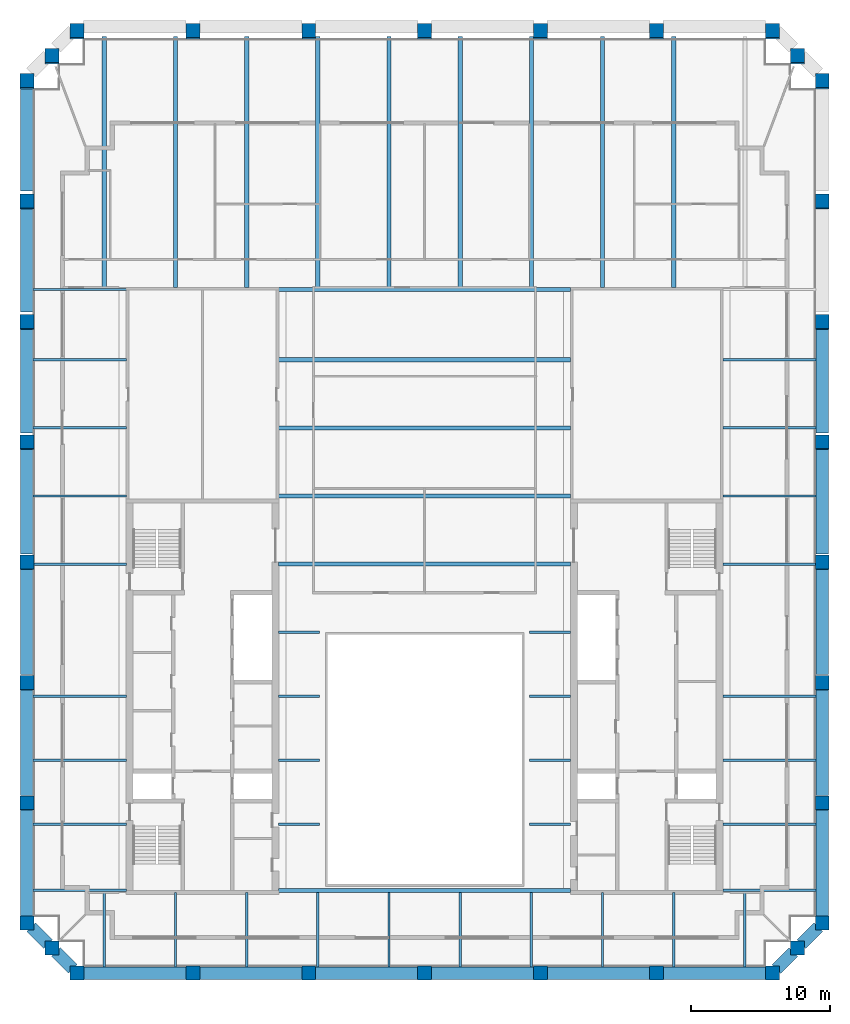
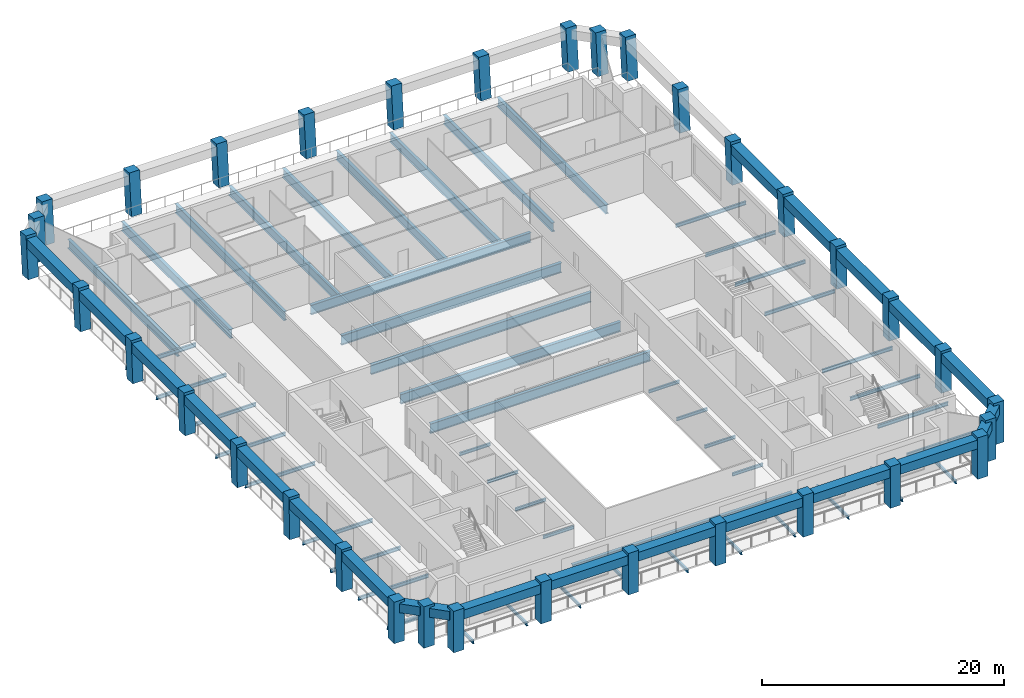
# One storey, part 1 of 9: 72 beams, 34 columns.
"""IFC4 building model written with IfcOpenShell, lengths in metres."""

from ifc_helpers import new_model, si_unit, direction, frame, origin, origin_2d, place, context, subcontext, project, spatial, rectangle, i_section, extrude, material, material_profile, profile_set, type_object, element, save


model = new_model("IFC4")

# Units and contexts
model_context = context("Model", 3, precision=1e-05, world=origin(), true_north=direction((0.0, 1.0)))
body_context = subcontext(model_context, "Body", "Model", "MODEL_VIEW")
ifc_project = project(units=[si_unit("LENGTHUNIT", "METRE"), si_unit("AREAUNIT", "SQUARE_METRE"), si_unit("VOLUMEUNIT", "CUBIC_METRE"), si_unit("PLANEANGLEUNIT", "RADIAN"), si_unit("MASSUNIT", "GRAM", prefix="KILO")], contexts=[model_context])

# Site, building, storey
site_placement = place(None, origin())
site = spatial("IfcSite", under=ifc_project, at=site_placement, CompositionType="ELEMENT")
building_placement = place(site_placement, origin())
building = spatial("IfcBuilding", under=site, at=building_placement, Name="Ogive Exchange Tower", CompositionType="ELEMENT")
storey_placement = place(building_placement, frame((0.0, 0.0, 346.800048828125)))
storey = spatial("IfcBuildingStorey", under=building, at=storey_placement, Name="L76", CompositionType="ELEMENT", Elevation=346.800048828125)

# Columns
ifc_material_1 = material(Name="Precast concrete C70/85 (limestone faced)", Category="masonry")
ifc_material_profile_1 = material_profile(ifc_material_1, rectangle(XDim=1.0, YDim=1.0, at=origin_2d()), Name="1000 x 1000")
ifc_profile_set_1 = profile_set([ifc_material_profile_1], Name="Precast concrete C70/85 (limestone faced)")
column_type = type_object("IfcColumnType", Name="Precast exoskeleton leg 1000 x 1000 C70/85", PredefinedType="COLUMN", material=ifc_profile_set_1)
for number, where, z_axis, x_axis, name in (
    (1, (-25.050048828125, -8.39990234375, 0.0), (0.0, 0.0, 1.0), (1.0, 0.0, 0.0), "Exoskeleton leg 1"),
    (2, (-16.699951171875, -8.39990234375, 0.0), (0.0, 0.0, 1.0), (1.0, 0.0, 0.0), "Exoskeleton leg 2"),
    (3, (-8.35009765625, -8.39990234375, 0.0), (0.0, 0.0, 1.0), (1.0, 0.0, 0.0), "Exoskeleton leg 3"),
    (4, (0.0, -8.39990234375, 0.0), (0.0, 0.0, 1.0), (1.0, 0.0, 0.0), "Exoskeleton leg 4"),
    (5, (8.35009765625, -8.39990234375, 0.0), (0.0, 0.0, 1.0), (1.0, 0.0, 0.0), "Exoskeleton leg 5"),
    (6, (16.699951171875, -8.39990234375, 0.0), (0.0, 0.0, 1.0), (1.0, 0.0, 0.0), "Exoskeleton leg 6"),
    (7, (25.050048828125, -8.39990234375, 0.0), (0.0, 0.0, 1.0), (1.0, 0.0, 0.0), "Exoskeleton leg 7"),
    (8, (28.64990234375, -4.800048828125, 0.0), (0.0, 0.0, 1.0), (1.0, 0.0, 0.0), "Exoskeleton leg 8"),
):
    element("IfcColumn", number, at=place(storey_placement, frame(where, z_axis=z_axis, x_axis=x_axis)), inside=storey, type_object=column_type, Name=name, PredefinedType="COLUMN", context=body_context, shape_type="SweptSolid", body=[
        extrude(rectangle(XDim=1.0, YDim=1.0, at=origin_2d()), origin(), (0.0, 0.0, 1.0), 4.199951171875),
    ])
column_1_placement = place(storey_placement, frame((28.64990234375, 3.8544921875, 0.0), z_axis=(0.0, 0.013019881024, 0.999915237757), x_axis=(-1.0, 0.0, 0.0)))
element("IfcColumn", 9, at=column_1_placement, inside=storey, type_object=column_type, Name="Exoskeleton leg 9", PredefinedType="COLUMN", context=body_context, shape_type="SweptSolid", body=[
    extrude(rectangle(XDim=1.0, YDim=1.0, at=origin_2d()), origin(), (0.0, 0.0, 1.0), 4.2001953125),
])
column_2_placement = place(storey_placement, frame((28.64990234375, 12.509033203125, 0.0), z_axis=(0.0, 0.025975072843, 0.999662590873), x_axis=(-1.0, 0.0, 0.0)))
element("IfcColumn", 10, at=column_2_placement, inside=storey, type_object=column_type, Name="Exoskeleton leg 10", PredefinedType="COLUMN", context=body_context, shape_type="SweptSolid", body=[
    extrude(rectangle(XDim=1.0, YDim=1.0, at=origin_2d()), origin(), (0.0, 0.0, 1.0), 4.201416015625),
])
column_3_placement = place(storey_placement, frame((28.64990234375, 21.16357421875, 0.0), z_axis=(0.0, 0.038975188043, 0.999240178694), x_axis=(-1.0, 0.0, 0.0)))
element("IfcColumn", 11, at=column_3_placement, inside=storey, type_object=column_type, Name="Exoskeleton leg 11", PredefinedType="COLUMN", context=body_context, shape_type="SweptSolid", body=[
    extrude(rectangle(XDim=1.0, YDim=1.0, at=origin_2d()), origin(), (0.0, 0.0, 1.0), 4.203125),
])
column_4_placement = place(storey_placement, frame((28.64990234375, 29.818115234375, 0.0), z_axis=(0.0, 0.051897648879, 0.99865240902), x_axis=(-1.0, 0.0, 0.0)))
element("IfcColumn", 12, at=column_4_placement, inside=storey, type_object=column_type, Name="Exoskeleton leg 12", PredefinedType="COLUMN", context=body_context, shape_type="SweptSolid", body=[
    extrude(rectangle(XDim=1.0, YDim=1.0, at=origin_2d()), origin(), (0.0, 0.0, 1.0), 4.20556640625),
])
column_5_placement = place(storey_placement, frame((28.64990234375, 38.47265625, 0.0), z_axis=(0.0, 0.064851857298, 0.997894902585), x_axis=(-1.0, 0.0, 0.0)))
element("IfcColumn", 13, at=column_5_placement, inside=storey, type_object=column_type, Name="Exoskeleton leg 13", PredefinedType="COLUMN", context=body_context, shape_type="SweptSolid", body=[
    extrude(rectangle(XDim=1.0, YDim=1.0, at=origin_2d()), origin(), (0.0, 0.0, 1.0), 4.208740234375),
])
column_6_placement = place(storey_placement, frame((28.64990234375, 47.127197265625, 0.0), z_axis=(0.0, 0.07771576013, 0.996975556685), x_axis=(-1.0, 0.0, 0.0)))
element("IfcColumn", 14, at=column_6_placement, inside=storey, type_object=column_type, Name="Exoskeleton leg 14", PredefinedType="COLUMN", context=body_context, shape_type="SweptSolid", body=[
    extrude(rectangle(XDim=1.0, YDim=1.0, at=origin_2d()), origin(), (0.0, 0.0, 1.0), 4.212646484375),
])
for number, where, z_axis, x_axis, name in (
    (15, (28.64990234375, 55.78173828125, 0.0), (0.0, 0.090540965689, 0.995892731941), (-1.0, 0.0, 0.0), "Exoskeleton leg 15"),
    (16, (25.050048828125, 59.3818359375, 0.0), (0.0, 0.090540965689, 0.995892731941), (-1.0, 0.0, 0.0), "Exoskeleton leg 16"),
    (17, (16.699951171875, 59.3818359375, 0.0), (0.0, 0.090540965689, 0.995892731941), (-1.0, 0.0, 0.0), "Exoskeleton leg 17"),
    (18, (8.35009765625, 59.3818359375, 0.0), (0.0, 0.090540965689, 0.995892731941), (-1.0, 0.0, 0.0), "Exoskeleton leg 18"),
    (19, (0.0, 59.3818359375, 0.0), (0.0, 0.090540965689, 0.995892731941), (-1.0, 0.0, 0.0), "Exoskeleton leg 19"),
    (20, (-8.35009765625, 59.3818359375, 0.0), (0.0, 0.090540965689, 0.995892731941), (-1.0, 0.0, 0.0), "Exoskeleton leg 20"),
    (21, (-16.699951171875, 59.3818359375, 0.0), (0.0, 0.090540965689, 0.995892731941), (-1.0, 0.0, 0.0), "Exoskeleton leg 21"),
    (22, (-25.050048828125, 59.3818359375, 0.0), (0.0, 0.090540965689, 0.995892731941), (-1.0, 0.0, 0.0), "Exoskeleton leg 22"),
    (23, (-28.64990234375, 55.78173828125, 0.0), (0.0, 0.090540965689, 0.995892731941), (-1.0, 0.0, 0.0), "Exoskeleton leg 23"),
):
    element("IfcColumn", number, at=place(storey_placement, frame(where, z_axis=z_axis, x_axis=x_axis)), inside=storey, type_object=column_type, Name=name, PredefinedType="COLUMN", context=body_context, shape_type="SweptSolid", body=[
        extrude(rectangle(XDim=1.0, YDim=1.0, at=origin_2d()), origin(), (0.0, 0.0, 1.0), 4.21728515625),
    ])
column_7_placement = place(storey_placement, frame((-28.64990234375, 47.127197265625, 0.0), z_axis=(0.0, 0.07771576013, 0.996975556685), x_axis=(-1.0, 0.0, 0.0)))
element("IfcColumn", 24, at=column_7_placement, inside=storey, type_object=column_type, Name="Exoskeleton leg 24", PredefinedType="COLUMN", context=body_context, shape_type="SweptSolid", body=[
    extrude(rectangle(XDim=1.0, YDim=1.0, at=origin_2d()), origin(), (0.0, 0.0, 1.0), 4.212646484375),
])
column_8_placement = place(storey_placement, frame((-28.64990234375, 38.47265625, 0.0), z_axis=(0.0, 0.064851857298, 0.997894902585), x_axis=(-1.0, 0.0, 0.0)))
element("IfcColumn", 25, at=column_8_placement, inside=storey, type_object=column_type, Name="Exoskeleton leg 25", PredefinedType="COLUMN", context=body_context, shape_type="SweptSolid", body=[
    extrude(rectangle(XDim=1.0, YDim=1.0, at=origin_2d()), origin(), (0.0, 0.0, 1.0), 4.208740234375),
])
column_9_placement = place(storey_placement, frame((-28.64990234375, 29.818115234375, 0.0), z_axis=(0.0, 0.051897648879, 0.99865240902), x_axis=(-1.0, 0.0, 0.0)))
element("IfcColumn", 26, at=column_9_placement, inside=storey, type_object=column_type, Name="Exoskeleton leg 26", PredefinedType="COLUMN", context=body_context, shape_type="SweptSolid", body=[
    extrude(rectangle(XDim=1.0, YDim=1.0, at=origin_2d()), origin(), (0.0, 0.0, 1.0), 4.20556640625),
])
column_10_placement = place(storey_placement, frame((-28.64990234375, 21.16357421875, 0.0), z_axis=(0.0, 0.038975188043, 0.999240178694), x_axis=(-1.0, 0.0, 0.0)))
element("IfcColumn", 27, at=column_10_placement, inside=storey, type_object=column_type, Name="Exoskeleton leg 27", PredefinedType="COLUMN", context=body_context, shape_type="SweptSolid", body=[
    extrude(rectangle(XDim=1.0, YDim=1.0, at=origin_2d()), origin(), (0.0, 0.0, 1.0), 4.203125),
])
column_11_placement = place(storey_placement, frame((-28.64990234375, 12.509033203125, 0.0), z_axis=(0.0, 0.025975072843, 0.999662590873), x_axis=(-1.0, 0.0, 0.0)))
element("IfcColumn", 28, at=column_11_placement, inside=storey, type_object=column_type, Name="Exoskeleton leg 28", PredefinedType="COLUMN", context=body_context, shape_type="SweptSolid", body=[
    extrude(rectangle(XDim=1.0, YDim=1.0, at=origin_2d()), origin(), (0.0, 0.0, 1.0), 4.201416015625),
])
column_12_placement = place(storey_placement, frame((-28.64990234375, 3.8544921875, 0.0), z_axis=(0.0, 0.013019881024, 0.999915237757), x_axis=(-1.0, 0.0, 0.0)))
element("IfcColumn", 29, at=column_12_placement, inside=storey, type_object=column_type, Name="Exoskeleton leg 29", PredefinedType="COLUMN", context=body_context, shape_type="SweptSolid", body=[
    extrude(rectangle(XDim=1.0, YDim=1.0, at=origin_2d()), origin(), (0.0, 0.0, 1.0), 4.2001953125),
])
for number, where, z_axis, x_axis, name in (
    (30, (-28.64990234375, -4.800048828125, 0.0), (0.0, 0.0, 1.0), (1.0, 0.0, 0.0), "Exoskeleton leg 30"),
    (31, (26.85009765625, -6.60009765625, 0.0), (0.0, 0.0, 1.0), (1.0, 0.0, 0.0), "Exoskeleton leg 31"),
):
    element("IfcColumn", number, at=place(storey_placement, frame(where, z_axis=z_axis, x_axis=x_axis)), inside=storey, type_object=column_type, Name=name, PredefinedType="COLUMN", context=body_context, shape_type="SweptSolid", body=[
        extrude(rectangle(XDim=1.0, YDim=1.0, at=origin_2d()), origin(), (0.0, 0.0, 1.0), 4.199951171875),
    ])
for number, where, z_axis, x_axis, name in (
    (32, (26.85009765625, 57.581787109375, 0.0), (0.0, 0.090540965689, 0.995892731941), (-1.0, 0.0, 0.0), "Exoskeleton leg 32"),
    (33, (-26.85009765625, 57.581787109375, 0.0), (0.0, 0.090540965689, 0.995892731941), (-1.0, 0.0, 0.0), "Exoskeleton leg 33"),
):
    element("IfcColumn", number, at=place(storey_placement, frame(where, z_axis=z_axis, x_axis=x_axis)), inside=storey, type_object=column_type, Name=name, PredefinedType="COLUMN", context=body_context, shape_type="SweptSolid", body=[
        extrude(rectangle(XDim=1.0, YDim=1.0, at=origin_2d()), origin(), (0.0, 0.0, 1.0), 4.21728515625),
    ])
column_13_placement = place(storey_placement, frame((-26.85009765625, -6.60009765625, 0.0), z_axis=(0.0, 0.0, 1.0), x_axis=(1.0, 0.0, 0.0)))
element("IfcColumn", 34, at=column_13_placement, inside=storey, type_object=column_type, Name="Exoskeleton leg 34", PredefinedType="COLUMN", context=body_context, shape_type="SweptSolid", body=[
    extrude(rectangle(XDim=1.0, YDim=1.0, at=origin_2d()), origin(), (0.0, 0.0, 1.0), 4.199951171875),
])

# Beams
ifc_material_2 = material(Name="Steel ASTM A992 Gr50", Category="steel")
ifc_material_profile_2 = material_profile(ifc_material_2, i_section(OverallWidth=0.300048828125, OverallDepth=0.97998046875, WebThickness=0.0166015625, FlangeThickness=0.026123046875, at=origin_2d()), Name="W1000x249")
ifc_profile_set_2 = profile_set([ifc_material_profile_2], Name="Steel ASTM A992 Gr50")
beam_type_1 = type_object("IfcBeamType", Name="Floor beam W1000x249", PredefinedType="JOIST", material=ifc_profile_set_2)
for number, where, z_axis, x_axis, name in (
    (35, (-10.52001953125, 21.06201171875, -0.68994140625), (1.0, 0.0, 0.0), (0.0, 1.0, 0.0), "Floor beam"),
    (36, (-10.52001953125, 25.968994140625, -0.68994140625), (1.0, 0.0, 0.0), (0.0, 1.0, 0.0), "Floor beam"),
    (37, (-10.52001953125, 30.8759765625, -0.68994140625), (1.0, 0.0, 0.0), (0.0, 1.0, 0.0), "Floor beam"),
    (38, (-10.52001953125, 35.782958984375, -0.68994140625), (1.0, 0.0, 0.0), (0.0, 1.0, 0.0), "Floor beam"),
):
    element("IfcBeam", number, at=place(storey_placement, frame(where, z_axis=z_axis, x_axis=x_axis)), inside=storey, type_object=beam_type_1, Name=name, PredefinedType="JOIST", context=body_context, shape_type="SweptSolid", body=[
        extrude(i_section(OverallWidth=0.300048828125, OverallDepth=0.97998046875, WebThickness=0.0166015625, FlangeThickness=0.026123046875, at=origin_2d()), origin(), (0.0, 0.0, 1.0), 21.0400390625),
    ])
ifc_material_profile_3 = material_profile(ifc_material_2, i_section(OverallWidth=0.1650390625, OverallDepth=0.31005859375, WebThickness=0.005859375, FlangeThickness=0.009765625, at=origin_2d()), Name="W310x38.7")
ifc_profile_set_3 = profile_set([ifc_material_profile_3], Name="Steel ASTM A992 Gr50")
beam_type_2 = type_object("IfcBeamType", Name="Floor beam W310x38.7", PredefinedType="JOIST", material=ifc_profile_set_3)
for number, where, z_axis, x_axis, name in (
    (39, (-10.52001953125, 2.3212890625, -0.35498046875), (1.0, 0.0, 0.0), (0.0, 1.0, 0.0), "Floor beam"),
    (40, (7.570068359375, 2.3212890625, -0.35498046875), (1.0, 0.0, 0.0), (0.0, 1.0, 0.0), "Floor beam"),
    (41, (-10.52001953125, 6.9326171875, -0.35498046875), (1.0, 0.0, 0.0), (0.0, 1.0, 0.0), "Floor beam"),
    (42, (7.570068359375, 6.9326171875, -0.35498046875), (1.0, 0.0, 0.0), (0.0, 1.0, 0.0), "Floor beam"),
    (43, (-10.52001953125, 11.543701171875, -0.35498046875), (1.0, 0.0, 0.0), (0.0, 1.0, 0.0), "Floor beam"),
    (44, (7.570068359375, 11.543701171875, -0.35498046875), (1.0, 0.0, 0.0), (0.0, 1.0, 0.0), "Floor beam"),
):
    element("IfcBeam", number, at=place(storey_placement, frame(where, z_axis=z_axis, x_axis=x_axis)), inside=storey, type_object=beam_type_2, Name=name, PredefinedType="JOIST", context=body_context, shape_type="SweptSolid", body=[
        extrude(i_section(OverallWidth=0.1650390625, OverallDepth=0.31005859375, WebThickness=0.005859375, FlangeThickness=0.009765625, at=origin_2d()), origin(), (0.0, 0.0, 1.0), 2.949951171875),
    ])
beam_1_placement = place(storey_placement, frame((-23.07275390625, -7.949951171875, -0.35498046875), z_axis=(0.0, 1.0, 0.0), x_axis=(-1.0, 0.0, 0.0)))
element("IfcBeam", 45, at=beam_1_placement, inside=storey, type_object=beam_type_2, Name="Floor beam", PredefinedType="JOIST", context=body_context, shape_type="SweptSolid", body=[
    extrude(i_section(OverallWidth=0.1650390625, OverallDepth=0.31005859375, WebThickness=0.005859375, FlangeThickness=0.009765625, at=origin_2d()), origin(), (0.0, 0.0, 1.0), 5.416015625),
])
for number, where, z_axis, x_axis, name in (
    (46, (-17.945556640625, -7.949951171875, -0.35498046875), (0.0, 1.0, 0.0), (-1.0, 0.0, 0.0), "Floor beam"),
    (47, (-12.818115234375, -7.949951171875, -0.35498046875), (0.0, 1.0, 0.0), (-1.0, 0.0, 0.0), "Floor beam"),
):
    element("IfcBeam", number, at=place(storey_placement, frame(where, z_axis=z_axis, x_axis=x_axis)), inside=storey, type_object=beam_type_2, Name=name, PredefinedType="JOIST", context=body_context, shape_type="SweptSolid", body=[
        extrude(i_section(OverallWidth=0.1650390625, OverallDepth=0.31005859375, WebThickness=0.005859375, FlangeThickness=0.009765625, at=origin_2d()), origin(), (0.0, 0.0, 1.0), 5.349853515625),
    ])
for number, where, z_axis, x_axis, name in (
    (48, (-7.69091796875, -7.949951171875, -0.35498046875), (0.0, 1.0, 0.0), (-1.0, 0.0, 0.0), "Floor beam"),
    (49, (-2.563720703125, -7.949951171875, -0.35498046875), (0.0, 1.0, 0.0), (-1.0, 0.0, 0.0), "Floor beam"),
    (50, (2.563720703125, -7.949951171875, -0.35498046875), (0.0, 1.0, 0.0), (-1.0, 0.0, 0.0), "Floor beam"),
    (51, (7.69091796875, -7.949951171875, -0.35498046875), (0.0, 1.0, 0.0), (-1.0, 0.0, 0.0), "Floor beam"),
):
    element("IfcBeam", number, at=place(storey_placement, frame(where, z_axis=z_axis, x_axis=x_axis)), inside=storey, type_object=beam_type_2, Name=name, PredefinedType="JOIST", context=body_context, shape_type="SweptSolid", body=[
        extrude(i_section(OverallWidth=0.1650390625, OverallDepth=0.31005859375, WebThickness=0.005859375, FlangeThickness=0.009765625, at=origin_2d()), origin(), (0.0, 0.0, 1.0), 5.35498046875),
    ])
for number, where, z_axis, x_axis, name in (
    (52, (12.818115234375, -7.949951171875, -0.35498046875), (0.0, 1.0, 0.0), (-1.0, 0.0, 0.0), "Floor beam"),
    (53, (17.945556640625, -7.949951171875, -0.35498046875), (0.0, 1.0, 0.0), (-1.0, 0.0, 0.0), "Floor beam"),
):
    element("IfcBeam", number, at=place(storey_placement, frame(where, z_axis=z_axis, x_axis=x_axis)), inside=storey, type_object=beam_type_2, Name=name, PredefinedType="JOIST", context=body_context, shape_type="SweptSolid", body=[
        extrude(i_section(OverallWidth=0.1650390625, OverallDepth=0.31005859375, WebThickness=0.005859375, FlangeThickness=0.009765625, at=origin_2d()), origin(), (0.0, 0.0, 1.0), 5.349853515625),
    ])
beam_2_placement = place(storey_placement, frame((23.07275390625, -7.949951171875, -0.35498046875), z_axis=(0.0, 1.0, 0.0), x_axis=(-1.0, 0.0, 0.0)))
element("IfcBeam", 54, at=beam_2_placement, inside=storey, type_object=beam_type_2, Name="Floor beam", PredefinedType="JOIST", context=body_context, shape_type="SweptSolid", body=[
    extrude(i_section(OverallWidth=0.1650390625, OverallDepth=0.31005859375, WebThickness=0.005859375, FlangeThickness=0.009765625, at=origin_2d()), origin(), (0.0, 0.0, 1.0), 5.416015625),
])
ifc_material_profile_4 = material_profile(ifc_material_2, i_section(OverallWidth=0.1708984375, OverallDepth=0.35595703125, WebThickness=0.00732421875, FlangeThickness=0.01171875, at=origin_2d()), Name="W360x51")
ifc_profile_set_4 = profile_set([ifc_material_profile_4], Name="Steel ASTM A992 Gr50")
beam_type_3 = type_object("IfcBeamType", Name="Floor beam W360x51", PredefinedType="JOIST", material=ifc_profile_set_4)
for number, where, z_axis, x_axis, name in (
    (55, (-28.199951171875, 2.3212890625, -0.3779296875), (1.0, 0.0, 0.0), (0.0, 1.0, 0.0), "Floor beam"),
    (56, (21.47998046875, 2.3212890625, -0.3779296875), (1.0, 0.0, 0.0), (0.0, 1.0, 0.0), "Floor beam"),
    (57, (-28.199951171875, 6.9326171875, -0.3779296875), (1.0, 0.0, 0.0), (0.0, 1.0, 0.0), "Floor beam"),
    (58, (21.47998046875, 6.9326171875, -0.3779296875), (1.0, 0.0, 0.0), (0.0, 1.0, 0.0), "Floor beam"),
    (59, (-28.199951171875, 11.543701171875, -0.3779296875), (1.0, 0.0, 0.0), (0.0, 1.0, 0.0), "Floor beam"),
    (60, (21.47998046875, 11.543701171875, -0.3779296875), (1.0, 0.0, 0.0), (0.0, 1.0, 0.0), "Floor beam"),
    (61, (-28.199951171875, 21.06201171875, -0.3779296875), (1.0, 0.0, 0.0), (0.0, 1.0, 0.0), "Floor beam"),
    (62, (21.47998046875, 21.06201171875, -0.3779296875), (1.0, 0.0, 0.0), (0.0, 1.0, 0.0), "Floor beam"),
    (63, (-28.199951171875, 25.968994140625, -0.3779296875), (1.0, 0.0, 0.0), (0.0, 1.0, 0.0), "Floor beam"),
    (64, (21.47998046875, 25.968994140625, -0.3779296875), (1.0, 0.0, 0.0), (0.0, 1.0, 0.0), "Floor beam"),
    (65, (-28.199951171875, 30.8759765625, -0.3779296875), (1.0, 0.0, 0.0), (0.0, 1.0, 0.0), "Floor beam"),
    (66, (21.47998046875, 30.8759765625, -0.3779296875), (1.0, 0.0, 0.0), (0.0, 1.0, 0.0), "Floor beam"),
    (67, (-28.199951171875, 35.782958984375, -0.3779296875), (1.0, 0.0, 0.0), (0.0, 1.0, 0.0), "Floor beam"),
    (68, (21.47998046875, 35.782958984375, -0.3779296875), (1.0, 0.0, 0.0), (0.0, 1.0, 0.0), "Floor beam"),
):
    element("IfcBeam", number, at=place(storey_placement, frame(where, z_axis=z_axis, x_axis=x_axis)), inside=storey, type_object=beam_type_3, Name=name, PredefinedType="JOIST", context=body_context, shape_type="SweptSolid", body=[
        extrude(i_section(OverallWidth=0.1708984375, OverallDepth=0.35595703125, WebThickness=0.00732421875, FlangeThickness=0.01171875, at=origin_2d()), origin(), (0.0, 0.0, 1.0), 6.719970703125),
    ])
ifc_material_profile_5 = material_profile(ifc_material_2, i_section(OverallWidth=0.304931640625, OverallDepth=0.904052734375, WebThickness=0.01513671875, FlangeThickness=0.02001953125, at=origin_2d()), Name="W920x201")
ifc_profile_set_5 = profile_set([ifc_material_profile_5], Name="Steel ASTM A992 Gr50")
beam_type_4 = type_object("IfcBeamType", Name="Floor beam W920x201", PredefinedType="JOIST", material=ifc_profile_set_5)
beam_3_placement = place(storey_placement, frame((-23.07275390625, 40.93408203125, -0.652099609375), z_axis=(0.0, 1.0, 0.0), x_axis=(-1.0, 0.0, 0.0)))
element("IfcBeam", 69, at=beam_3_placement, inside=storey, type_object=beam_type_4, Name="Floor beam", PredefinedType="JOIST", context=body_context, shape_type="SweptSolid", body=[
    extrude(i_section(OverallWidth=0.304931640625, OverallDepth=0.904052734375, WebThickness=0.01513671875, FlangeThickness=0.02001953125, at=origin_2d()), origin(), (0.0, 0.0, 1.0), 18.147705078125),
])
for number, where, z_axis, x_axis, name in (
    (70, (-17.945556640625, 41.0, -0.652099609375), (0.0, 1.0, 0.0), (-1.0, 0.0, 0.0), "Floor beam"),
    (71, (-12.818115234375, 41.0, -0.652099609375), (0.0, 1.0, 0.0), (-1.0, 0.0, 0.0), "Floor beam"),
):
    element("IfcBeam", number, at=place(storey_placement, frame(where, z_axis=z_axis, x_axis=x_axis)), inside=storey, type_object=beam_type_4, Name=name, PredefinedType="JOIST", context=body_context, shape_type="SweptSolid", body=[
        extrude(i_section(OverallWidth=0.304931640625, OverallDepth=0.904052734375, WebThickness=0.01513671875, FlangeThickness=0.02001953125, at=origin_2d()), origin(), (0.0, 0.0, 1.0), 18.081787109375),
    ])
for number, where, z_axis, x_axis, name in (
    (72, (-7.69091796875, 40.9951171875, -0.652099609375), (0.0, 1.0, 0.0), (-1.0, 0.0, 0.0), "Floor beam"),
    (73, (-2.563720703125, 40.9951171875, -0.652099609375), (0.0, 1.0, 0.0), (-1.0, 0.0, 0.0), "Floor beam"),
    (74, (2.563720703125, 40.9951171875, -0.652099609375), (0.0, 1.0, 0.0), (-1.0, 0.0, 0.0), "Floor beam"),
    (75, (7.69091796875, 40.9951171875, -0.652099609375), (0.0, 1.0, 0.0), (-1.0, 0.0, 0.0), "Floor beam"),
):
    element("IfcBeam", number, at=place(storey_placement, frame(where, z_axis=z_axis, x_axis=x_axis)), inside=storey, type_object=beam_type_4, Name=name, PredefinedType="JOIST", context=body_context, shape_type="SweptSolid", body=[
        extrude(i_section(OverallWidth=0.304931640625, OverallDepth=0.904052734375, WebThickness=0.01513671875, FlangeThickness=0.02001953125, at=origin_2d()), origin(), (0.0, 0.0, 1.0), 18.086669921875),
    ])
for number, where, z_axis, x_axis, name in (
    (76, (12.818115234375, 41.0, -0.652099609375), (0.0, 1.0, 0.0), (-1.0, 0.0, 0.0), "Floor beam"),
    (77, (17.945556640625, 41.0, -0.652099609375), (0.0, 1.0, 0.0), (-1.0, 0.0, 0.0), "Floor beam"),
):
    element("IfcBeam", number, at=place(storey_placement, frame(where, z_axis=z_axis, x_axis=x_axis)), inside=storey, type_object=beam_type_4, Name=name, PredefinedType="JOIST", context=body_context, shape_type="SweptSolid", body=[
        extrude(i_section(OverallWidth=0.304931640625, OverallDepth=0.904052734375, WebThickness=0.01513671875, FlangeThickness=0.02001953125, at=origin_2d()), origin(), (0.0, 0.0, 1.0), 18.081787109375),
    ])
ifc_material_profile_6 = material_profile(ifc_material_2, i_section(OverallWidth=0.300048828125, OverallDepth=0.97998046875, WebThickness=0.0166015625, FlangeThickness=0.026123046875, at=origin_2d()), Name="W1000x249")
ifc_profile_set_6 = profile_set([ifc_material_profile_6], Name="Steel ASTM A992 Gr50")
beam_type_5 = type_object("IfcBeamType", Name="Girder W1000x249", PredefinedType="BEAM", material=ifc_profile_set_6)
for number, where, z_axis, x_axis, name in (
    (78, (-10.52001953125, -2.445068359375, -0.68994140625), (1.0, 0.0, 0.0), (0.0, 1.0, 0.0), "Header girder"),
    (79, (-10.52001953125, 40.844970703125, -0.68994140625), (1.0, 0.0, 0.0), (0.0, 1.0, 0.0), "Header girder"),
):
    element("IfcBeam", number, at=place(storey_placement, frame(where, z_axis=z_axis, x_axis=x_axis)), inside=storey, type_object=beam_type_5, Name=name, PredefinedType="BEAM", context=body_context, shape_type="SweptSolid", body=[
        extrude(i_section(OverallWidth=0.300048828125, OverallDepth=0.97998046875, WebThickness=0.0166015625, FlangeThickness=0.026123046875, at=origin_2d()), origin(), (0.0, 0.0, 1.0), 21.0400390625),
    ])
ifc_material_profile_7 = material_profile(ifc_material_2, i_section(OverallWidth=0.1650390625, OverallDepth=0.31005859375, WebThickness=0.005859375, FlangeThickness=0.009765625, at=origin_2d()), Name="W310x38.7")
ifc_profile_set_7 = profile_set([ifc_material_profile_7], Name="Steel ASTM A992 Gr50")
beam_type_6 = type_object("IfcBeamType", Name="Girder W310x38.7", PredefinedType="BEAM", material=ifc_profile_set_7)
for number, where, z_axis, x_axis, name in (
    (80, (-10.52001953125, 16.155029296875, -0.35498046875), (1.0, 0.0, 0.0), (0.0, 1.0, 0.0), "Trimmer girder"),
    (81, (7.570068359375, 16.155029296875, -0.35498046875), (1.0, 0.0, 0.0), (0.0, 1.0, 0.0), "Trimmer girder"),
):
    element("IfcBeam", number, at=place(storey_placement, frame(where, z_axis=z_axis, x_axis=x_axis)), inside=storey, type_object=beam_type_6, Name=name, PredefinedType="BEAM", context=body_context, shape_type="SweptSolid", body=[
        extrude(i_section(OverallWidth=0.1650390625, OverallDepth=0.31005859375, WebThickness=0.005859375, FlangeThickness=0.009765625, at=origin_2d()), origin(), (0.0, 0.0, 1.0), 2.949951171875),
    ])
ifc_material_profile_8 = material_profile(ifc_material_2, i_section(OverallWidth=0.177978515625, OverallDepth=0.406005859375, WebThickness=0.0078125, FlangeThickness=0.0126953125, at=origin_2d()), Name="W410x60")
ifc_profile_set_8 = profile_set([ifc_material_profile_8], Name="Steel ASTM A992 Gr50")
beam_type_7 = type_object("IfcBeamType", Name="Girder W410x60", PredefinedType="BEAM", material=ifc_profile_set_8)
for number, where, z_axis, x_axis, name in (
    (82, (-28.199951171875, -2.445068359375, -0.403076171875), (1.0, 0.0, 0.0), (0.0, 1.0, 0.0), "Header girder"),
    (83, (21.47998046875, -2.445068359375, -0.403076171875), (1.0, 0.0, 0.0), (0.0, 1.0, 0.0), "Header girder"),
    (84, (-28.199951171875, 40.844970703125, -0.403076171875), (1.0, 0.0, 0.0), (0.0, 1.0, 0.0), "Header girder"),
):
    element("IfcBeam", number, at=place(storey_placement, frame(where, z_axis=z_axis, x_axis=x_axis)), inside=storey, type_object=beam_type_7, Name=name, PredefinedType="BEAM", context=body_context, shape_type="SweptSolid", body=[
        extrude(i_section(OverallWidth=0.177978515625, OverallDepth=0.406005859375, WebThickness=0.0078125, FlangeThickness=0.0126953125, at=origin_2d()), origin(), (0.0, 0.0, 1.0), 6.719970703125),
    ])
ifc_material_profile_9 = material_profile(ifc_material_1, rectangle(XDim=0.89990234375, YDim=0.89990234375, at=origin_2d()), Name="900 x 900")
ifc_profile_set_9 = profile_set([ifc_material_profile_9], Name="Precast concrete C70/85 (limestone faced)")
beam_type_8 = type_object("IfcBeamType", Name="Precast spandrel 900 x 900 C70/85", PredefinedType="SPANDREL", material=ifc_profile_set_9)
beam_4_placement = place(storey_placement, frame((-24.570068359375, -8.39990234375, 3.5), z_axis=(1.0, 0.0, 0.0), x_axis=(0.0, 1.0, 0.0)))
element("IfcBeam", 85, at=beam_4_placement, inside=storey, type_object=beam_type_8, Name="Spandrel 1", PredefinedType="SPANDREL", context=body_context, shape_type="SweptSolid", body=[
    extrude(rectangle(XDim=0.89990234375, YDim=0.89990234375, at=origin_2d()), origin(), (0.0, 0.0, 1.0), 7.39013671875),
])
beam_5_placement = place(storey_placement, frame((-16.219970703125, -8.39990234375, 3.5), z_axis=(1.0, 0.0, 0.0), x_axis=(0.0, 1.0, 0.0)))
element("IfcBeam", 86, at=beam_5_placement, inside=storey, type_object=beam_type_8, Name="Spandrel 2", PredefinedType="SPANDREL", context=body_context, shape_type="SweptSolid", body=[
    extrude(rectangle(XDim=0.89990234375, YDim=0.89990234375, at=origin_2d()), origin(), (0.0, 0.0, 1.0), 7.389892578125),
])
for number, where, z_axis, x_axis, name in (
    (87, (-7.8701171875, -8.39990234375, 3.5), (1.0, 0.0, 0.0), (0.0, 1.0, 0.0), "Spandrel 3"),
    (88, (0.47998046875, -8.39990234375, 3.5), (1.0, 0.0, 0.0), (0.0, 1.0, 0.0), "Spandrel 4"),
):
    element("IfcBeam", number, at=place(storey_placement, frame(where, z_axis=z_axis, x_axis=x_axis)), inside=storey, type_object=beam_type_8, Name=name, PredefinedType="SPANDREL", context=body_context, shape_type="SweptSolid", body=[
        extrude(rectangle(XDim=0.89990234375, YDim=0.89990234375, at=origin_2d()), origin(), (0.0, 0.0, 1.0), 7.39013671875),
    ])
beam_6_placement = place(storey_placement, frame((8.830078125, -8.39990234375, 3.5), z_axis=(1.0, 0.0, 0.0), x_axis=(0.0, 1.0, 0.0)))
element("IfcBeam", 89, at=beam_6_placement, inside=storey, type_object=beam_type_8, Name="Spandrel 5", PredefinedType="SPANDREL", context=body_context, shape_type="SweptSolid", body=[
    extrude(rectangle(XDim=0.89990234375, YDim=0.89990234375, at=origin_2d()), origin(), (0.0, 0.0, 1.0), 7.389892578125),
])
beam_7_placement = place(storey_placement, frame((17.179931640625, -8.39990234375, 3.5), z_axis=(1.0, 0.0, 0.0), x_axis=(0.0, 1.0, 0.0)))
element("IfcBeam", 90, at=beam_7_placement, inside=storey, type_object=beam_type_8, Name="Spandrel 6", PredefinedType="SPANDREL", context=body_context, shape_type="SweptSolid", body=[
    extrude(rectangle(XDim=0.89990234375, YDim=0.89990234375, at=origin_2d()), origin(), (0.0, 0.0, 1.0), 7.39013671875),
])
for number, where, z_axis, x_axis, name in (
    (91, (25.337890625, -8.112060546875, 3.5), (0.707106781187, 0.707106781187, 0.0), (-0.707106781187, 0.707106781187, 0.0), "Spandrel 7"),
    (92, (27.137939453125, -6.31201171875, 3.5), (0.707106781187, 0.707106781187, 0.0), (-0.707106781187, 0.707106781187, 0.0), "Spandrel 8"),
):
    element("IfcBeam", number, at=place(storey_placement, frame(where, z_axis=z_axis, x_axis=x_axis)), inside=storey, type_object=beam_type_8, Name=name, PredefinedType="SPANDREL", context=body_context, shape_type="SweptSolid", body=[
        extrude(rectangle(XDim=0.89990234375, YDim=0.89990234375, at=origin_2d()), origin(), (0.0, 0.0, 1.0), 1.731201171875),
    ])
beam_8_placement = place(storey_placement, frame((28.64990234375, -4.320068359375, 3.5), z_axis=(0.0, 1.0, 0.0), x_axis=(-1.0, 0.0, 0.0)))
element("IfcBeam", 93, at=beam_8_placement, inside=storey, type_object=beam_type_8, Name="Spandrel 9", PredefinedType="SPANDREL", context=body_context, shape_type="SweptSolid", body=[
    extrude(rectangle(XDim=0.89990234375, YDim=0.89990234375, at=origin_2d()), origin(), (0.0, 0.0, 1.0), 7.749267578125),
])
beam_9_placement = place(storey_placement, frame((28.64990234375, 4.38916015625, 3.5), z_axis=(0.0, 1.0, 0.0), x_axis=(-1.0, 0.0, 0.0)))
element("IfcBeam", 94, at=beam_9_placement, inside=storey, type_object=beam_type_8, Name="Spandrel 10", PredefinedType="SPANDREL", context=body_context, shape_type="SweptSolid", body=[
    extrude(rectangle(XDim=0.89990234375, YDim=0.89990234375, at=origin_2d()), origin(), (0.0, 0.0, 1.0), 7.7490234375),
])
beam_10_placement = place(storey_placement, frame((28.64990234375, 13.09814453125, 3.5), z_axis=(0.0, 1.0, 0.0), x_axis=(-1.0, 0.0, 0.0)))
element("IfcBeam", 95, at=beam_10_placement, inside=storey, type_object=beam_type_8, Name="Spandrel 11", PredefinedType="SPANDREL", context=body_context, shape_type="SweptSolid", body=[
    extrude(rectangle(XDim=0.89990234375, YDim=0.89990234375, at=origin_2d()), origin(), (0.0, 0.0, 1.0), 7.749267578125),
])
for number, where, z_axis, x_axis, name in (
    (96, (28.64990234375, 21.807373046875, 3.5), (0.0, 1.0, 0.0), (-1.0, 0.0, 0.0), "Spandrel 12"),
    (97, (28.64990234375, 30.516357421875, 3.5), (0.0, 1.0, 0.0), (-1.0, 0.0, 0.0), "Spandrel 13"),
    (98, (-28.64990234375, 55.68359375, 3.5), (0.0, -1.0, 0.0), (1.0, 0.0, 0.0), "Spandrel 26"),
    (99, (-28.64990234375, 46.974609375, 3.5), (0.0, -1.0, 0.0), (1.0, 0.0, 0.0), "Spandrel 27"),
    (100, (-28.64990234375, 38.265380859375, 3.5), (0.0, -1.0, 0.0), (1.0, 0.0, 0.0), "Spandrel 28"),
    (101, (-28.64990234375, 29.556396484375, 3.5), (0.0, -1.0, 0.0), (1.0, 0.0, 0.0), "Spandrel 29"),
):
    element("IfcBeam", number, at=place(storey_placement, frame(where, z_axis=z_axis, x_axis=x_axis)), inside=storey, type_object=beam_type_8, Name=name, PredefinedType="SPANDREL", context=body_context, shape_type="SweptSolid", body=[
        extrude(rectangle(XDim=0.89990234375, YDim=0.89990234375, at=origin_2d()), origin(), (0.0, 0.0, 1.0), 7.7490234375),
    ])
beam_11_placement = place(storey_placement, frame((-28.64990234375, 20.847412109375, 3.5), z_axis=(0.0, -1.0, 0.0), x_axis=(1.0, 0.0, 0.0)))
element("IfcBeam", 102, at=beam_11_placement, inside=storey, type_object=beam_type_8, Name="Spandrel 30", PredefinedType="SPANDREL", context=body_context, shape_type="SweptSolid", body=[
    extrude(rectangle(XDim=0.89990234375, YDim=0.89990234375, at=origin_2d()), origin(), (0.0, 0.0, 1.0), 7.749267578125),
])
beam_12_placement = place(storey_placement, frame((-28.64990234375, 12.13818359375, 3.5), z_axis=(0.0, -1.0, 0.0), x_axis=(1.0, 0.0, 0.0)))
element("IfcBeam", 103, at=beam_12_placement, inside=storey, type_object=beam_type_8, Name="Spandrel 31", PredefinedType="SPANDREL", context=body_context, shape_type="SweptSolid", body=[
    extrude(rectangle(XDim=0.89990234375, YDim=0.89990234375, at=origin_2d()), origin(), (0.0, 0.0, 1.0), 7.7490234375),
])
beam_13_placement = place(storey_placement, frame((-28.64990234375, 3.42919921875, 3.5), z_axis=(0.0, -1.0, 0.0), x_axis=(1.0, 0.0, 0.0)))
element("IfcBeam", 104, at=beam_13_placement, inside=storey, type_object=beam_type_8, Name="Spandrel 32", PredefinedType="SPANDREL", context=body_context, shape_type="SweptSolid", body=[
    extrude(rectangle(XDim=0.89990234375, YDim=0.89990234375, at=origin_2d()), origin(), (0.0, 0.0, 1.0), 7.749267578125),
])
for number, where, z_axis, x_axis, name in (
    (105, (-28.362060546875, -5.087890625, 3.5), (0.707106781187, -0.707106781187, 0.0), (0.707106781187, 0.707106781187, 0.0), "Spandrel 33"),
    (106, (-26.56201171875, -6.887939453125, 3.5), (0.707106781187, -0.707106781187, 0.0), (0.707106781187, 0.707106781187, 0.0), "Spandrel 34"),
):
    element("IfcBeam", number, at=place(storey_placement, frame(where, z_axis=z_axis, x_axis=x_axis)), inside=storey, type_object=beam_type_8, Name=name, PredefinedType="SPANDREL", context=body_context, shape_type="SweptSolid", body=[
        extrude(rectangle(XDim=0.89990234375, YDim=0.89990234375, at=origin_2d()), origin(), (0.0, 0.0, 1.0), 1.731201171875),
    ])

save(model, "model.ifc")
